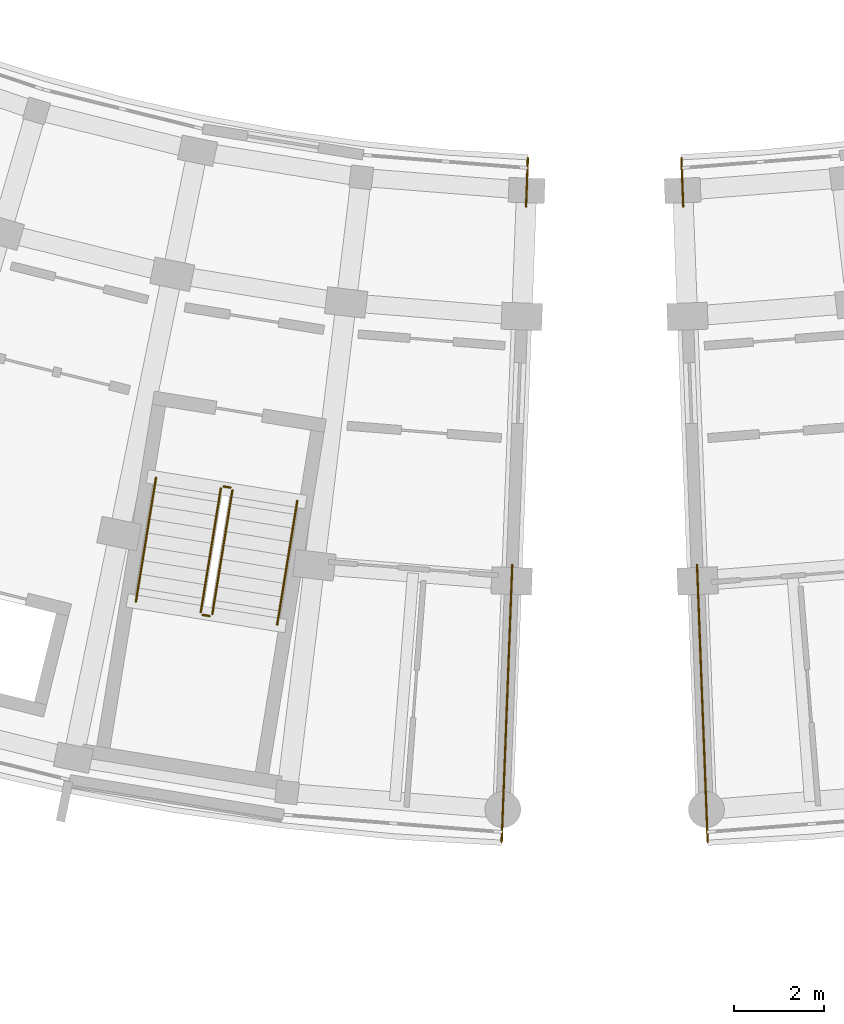
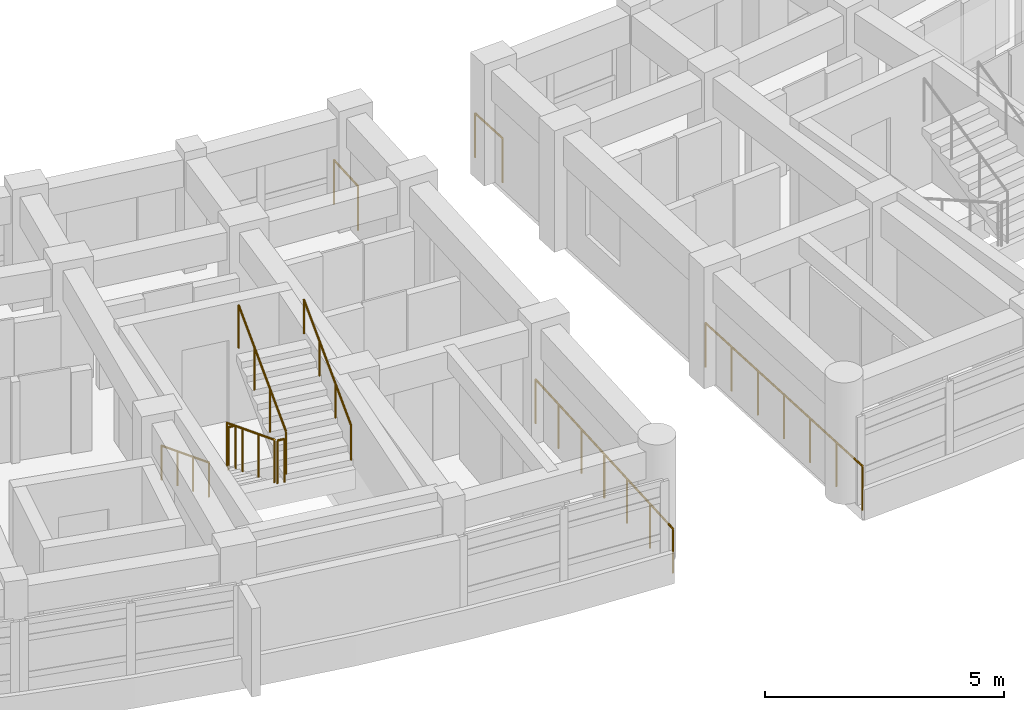
# One storey, part 58 of 70: 10 railings.
"""IFC4 building model written with IfcOpenShell, lengths in metres."""

from ifc_helpers import new_model, si_unit, direction, frame, origin, origin_2d, place, context, subcontext, project, spatial, circle, extrude, material, type_object, element, save


model = new_model("IFC4")

# Units and contexts
model_context = context("Model", 3, precision=1e-05, world=origin(), true_north=direction((0.0, 1.0)))
body_context = subcontext(model_context, "Body", "Model", "MODEL_VIEW")
ifc_project = project(units=[si_unit("LENGTHUNIT", "METRE"), si_unit("AREAUNIT", "SQUARE_METRE"), si_unit("VOLUMEUNIT", "CUBIC_METRE"), si_unit("PLANEANGLEUNIT", "RADIAN"), si_unit("MASSUNIT", "GRAM", prefix="KILO")], contexts=[model_context])

# Site, building, storey
site_placement = place(None, origin())
site = spatial("IfcSite", under=ifc_project, at=site_placement, CompositionType="ELEMENT")
building_placement = place(site_placement, origin())
building = spatial("IfcBuilding", under=site, at=building_placement, Name="Zimvara Arc Housing Community", CompositionType="ELEMENT")
storey_placement = place(building_placement, frame((0.0, 0.0, 8.10009765625)))
storey = spatial("IfcBuildingStorey", under=building, at=storey_placement, Name="L02", CompositionType="ELEMENT", Elevation=8.10009765625)

# Railings
ifc_material_1 = material(Name="Anodised Aluminium AW-6063", Category="aluminium")
railing_type_1 = type_object("IfcRailingType", Name="RLG-BAL-1120", PredefinedType="BALUSTRADE", material=ifc_material_1)
railing_1_placement = place(storey_placement, frame((117.455810546875, 58.15771484375, 0.15478515625)))
element("IfcRailing", 1, at=railing_1_placement, inside=storey, type_object=railing_type_1, Name="L02 ST-C2 stair guard 1", PredefinedType="BALUSTRADE", context=body_context, shape_type="SweptSolid", body=[
    extrude(circle(Radius=0.02392578125, at=origin_2d()), frame((0.0, 0.0, 1.09619140625), z_axis=(-0.14330919097, -0.882866015369, 0.447224859204), x_axis=(0.987080428045, -0.160225555297, 0.0)), (0.0, 0.0, 1.0), 3.119384765625),
    extrude(circle(Radius=0.02099609375, at=origin_2d()), origin(), (0.0, 0.0, 1.0), 1.072021484375),
    extrude(circle(Radius=0.02099609375, at=origin_2d()), frame((-0.14892578125, -0.91796875, 0.465087890625)), (0.0, 0.0, 1.0), 1.072021484375),
    extrude(circle(Radius=0.02099609375, at=origin_2d()), frame((-0.298095703125, -1.8359375, 0.929931640625)), (0.0, 0.0, 1.0), 1.072021484375),
    extrude(circle(Radius=0.02099609375, at=origin_2d()), frame((-0.447021484375, -2.75390625, 1.39501953125)), (0.0, 0.0, 1.0), 1.072021484375),
])
railing_2_placement = place(storey_placement, frame((117.050048828125, 55.346435546875, 1.5498046875)))
element("IfcRailing", 2, at=railing_2_placement, inside=storey, type_object=railing_type_1, Name="L02 ST-C2 stair guard 2", PredefinedType="BALUSTRADE", context=body_context, shape_type="SweptSolid", body=[
    extrude(circle(Radius=0.02392578125, at=origin_2d()), frame((0.0, 0.0, 1.09619140625), z_axis=(0.987085924886, -0.160191687964, 0.0), x_axis=(0.160191687964, 0.987085924886, 0.0)), (0.0, 0.0, 1.0), 0.159912109375),
    extrude(circle(Radius=0.02099609375, at=origin_2d()), origin(), (0.0, 0.0, 1.0), 1.072021484375),
    extrude(circle(Radius=0.02099609375, at=origin_2d()), frame((0.157958984375, -0.025634765625, 0.0)), (0.0, 0.0, 1.0), 1.072021484375),
])
railing_3_placement = place(storey_placement, frame((117.265380859375, 55.3623046875, 1.704833984375)))
element("IfcRailing", 3, at=railing_3_placement, inside=storey, type_object=railing_type_1, Name="L02 ST-C2 stair guard 3", PredefinedType="BALUSTRADE", context=body_context, shape_type="SweptSolid", body=[
    extrude(circle(Radius=0.02392578125, at=origin_2d()), frame((0.0, 0.0, 1.09619140625), z_axis=(0.14330919097, 0.882866015369, 0.447224859204), x_axis=(-0.987080428045, 0.160225555297, 0.0)), (0.0, 0.0, 1.0), 3.119384765625),
    extrude(circle(Radius=0.02099609375, at=origin_2d()), origin(), (0.0, 0.0, 1.0), 1.072021484375),
    extrude(circle(Radius=0.02099609375, at=origin_2d()), frame((0.14892578125, 0.91796875, 0.465087890625)), (0.0, 0.0, 1.0), 1.072021484375),
    extrude(circle(Radius=0.02099609375, at=origin_2d()), frame((0.298095703125, 1.8359375, 0.929931640625)), (0.0, 0.0, 1.0), 1.072021484375),
    extrude(circle(Radius=0.02099609375, at=origin_2d()), frame((0.447021484375, 2.75390625, 1.39501953125)), (0.0, 0.0, 1.0), 1.072021484375),
])
railing_4_placement = place(storey_placement, frame((117.51318359375, 58.19921875, 0.0)))
element("IfcRailing", 4, at=railing_4_placement, inside=storey, type_object=railing_type_1, Name="L02 ST-C2 stair guard 4", PredefinedType="BALUSTRADE", context=body_context, shape_type="SweptSolid", body=[
    extrude(circle(Radius=0.02392578125, at=origin_2d()), frame((0.0, 0.0, 1.09619140625), z_axis=(0.987085924886, -0.160191687964, 0.0), x_axis=(0.160191687964, 0.987085924886, 0.0)), (0.0, 0.0, 1.0), 0.159912109375),
    extrude(circle(Radius=0.02099609375, at=origin_2d()), origin(), (0.0, 0.0, 1.0), 1.072021484375),
    extrude(circle(Radius=0.02099609375, at=origin_2d()), frame((0.157958984375, -0.025634765625, 0.0)), (0.0, 0.0, 1.0), 1.072021484375),
])
ifc_material_2 = material(Name="Anodised Aluminium AW-6063", Category="aluminium")
railing_type_2 = type_object("IfcRailingType", Name="RLG-BAL-1150", PredefinedType="BALUSTRADE", material=ifc_material_2)
railing_5_placement = place(storey_placement, frame((124.275634765625, 65.49267578125, 0.0)))
element("IfcRailing", 5, at=railing_5_placement, inside=storey, type_object=railing_type_2, Name="rlg:blkC:L02:gable_in:gN", PredefinedType="BALUSTRADE", context=body_context, shape_type="SweptSolid", body=[
    extrude(circle(Radius=0.02392578125, at=origin_2d()), frame((0.0, 0.0, 1.1259765625), z_axis=(-0.038433122101, -0.999261174631, 0.0), x_axis=(0.999261174631, -0.038433122101, 0.0)), (0.0, 0.0, 1.0), 1.079833984375),
    extrude(circle(Radius=0.02099609375, at=origin_2d()), origin(), (0.0, 0.0, 1.0), 1.101806640625),
    extrude(circle(Radius=0.02099609375, at=origin_2d()), frame((-0.04150390625, -1.0791015625, 0.0)), (0.0, 0.0, 1.0), 1.101806640625),
])
railing_6_placement = place(storey_placement, frame((123.928466796875, 56.45947265625, 0.0)))
element("IfcRailing", 6, at=railing_6_placement, inside=storey, type_object=railing_type_2, Name="rlg:blkC:L02:gable_out:gN", PredefinedType="BALUSTRADE", context=body_context, shape_type="SweptSolid", body=[
    extrude(circle(Radius=0.02392578125, at=origin_2d()), frame((0.0, 0.0, 1.1259765625), z_axis=(-0.038364627964, -0.99926380667, 0.0), x_axis=(0.99926380667, -0.038364627964, 0.0)), (0.0, 0.0, 1.0), 6.16015625),
    extrude(circle(Radius=0.02099609375, at=origin_2d()), origin(), (0.0, 0.0, 1.0), 1.101806640625),
    extrude(circle(Radius=0.02099609375, at=origin_2d()), frame((-0.039306640625, -1.02587890625, 0.0)), (0.0, 0.0, 1.0), 1.101806640625),
    extrude(circle(Radius=0.02099609375, at=origin_2d()), frame((-0.078857421875, -2.0517578125, 0.0)), (0.0, 0.0, 1.0), 1.101806640625),
    extrude(circle(Radius=0.02099609375, at=origin_2d()), frame((-0.1181640625, -3.07763671875, 0.0)), (0.0, 0.0, 1.0), 1.101806640625),
    extrude(circle(Radius=0.02099609375, at=origin_2d()), frame((-0.157470703125, -4.103759765625, 0.0)), (0.0, 0.0, 1.0), 1.101806640625),
    extrude(circle(Radius=0.02099609375, at=origin_2d()), frame((-0.197021484375, -5.129638671875, 0.0)), (0.0, 0.0, 1.0), 1.101806640625),
    extrude(circle(Radius=0.02099609375, at=origin_2d()), frame((-0.236328125, -6.155517578125, 0.0)), (0.0, 0.0, 1.0), 1.101806640625),
])
railing_7_placement = place(storey_placement, frame((127.684326171875, 65.49267578125, 0.0)))
element("IfcRailing", 7, at=railing_7_placement, inside=storey, type_object=railing_type_2, Name="rlg:blkD:L02:gable_in:g0", PredefinedType="BALUSTRADE", context=body_context, shape_type="SweptSolid", body=[
    extrude(circle(Radius=0.02392578125, at=origin_2d()), frame((0.0, 0.0, 1.1259765625), z_axis=(0.038433122101, -0.999261174631, 0.0), x_axis=(0.999261174631, 0.038433122101, 0.0)), (0.0, 0.0, 1.0), 1.079833984375),
    extrude(circle(Radius=0.02099609375, at=origin_2d()), origin(), (0.0, 0.0, 1.0), 1.101806640625),
    extrude(circle(Radius=0.02099609375, at=origin_2d()), frame((0.04150390625, -1.0791015625, 0.0)), (0.0, 0.0, 1.0), 1.101806640625),
])
railing_8_placement = place(storey_placement, frame((128.031494140625, 56.45947265625, 0.0)))
element("IfcRailing", 8, at=railing_8_placement, inside=storey, type_object=railing_type_2, Name="rlg:blkD:L02:gable_out:g0", PredefinedType="BALUSTRADE", context=body_context, shape_type="SweptSolid", body=[
    extrude(circle(Radius=0.02392578125, at=origin_2d()), frame((0.0, 0.0, 1.1259765625), z_axis=(0.038364627964, -0.99926380667, 0.0), x_axis=(0.99926380667, 0.038364627964, 0.0)), (0.0, 0.0, 1.0), 6.16015625),
    extrude(circle(Radius=0.02099609375, at=origin_2d()), origin(), (0.0, 0.0, 1.0), 1.101806640625),
    extrude(circle(Radius=0.02099609375, at=origin_2d()), frame((0.039306640625, -1.02587890625, 0.0)), (0.0, 0.0, 1.0), 1.101806640625),
    extrude(circle(Radius=0.02099609375, at=origin_2d()), frame((0.078857421875, -2.0517578125, 0.0)), (0.0, 0.0, 1.0), 1.101806640625),
    extrude(circle(Radius=0.02099609375, at=origin_2d()), frame((0.1181640625, -3.07763671875, 0.0)), (0.0, 0.0, 1.0), 1.101806640625),
    extrude(circle(Radius=0.02099609375, at=origin_2d()), frame((0.157470703125, -4.103759765625, 0.0)), (0.0, 0.0, 1.0), 1.101806640625),
    extrude(circle(Radius=0.02099609375, at=origin_2d()), frame((0.197021484375, -5.129638671875, 0.0)), (0.0, 0.0, 1.0), 1.101806640625),
    extrude(circle(Radius=0.02099609375, at=origin_2d()), frame((0.236328125, -6.155517578125, 0.0)), (0.0, 0.0, 1.0), 1.101806640625),
])
ifc_material_3 = material(Name="Anodised Aluminium AW-6063", Category="aluminium")
railing_type_3 = type_object("IfcRailingType", Name="RLG-HND-900", PredefinedType="HANDRAIL", material=ifc_material_3)
railing_9_placement = place(storey_placement, frame((116.0146484375, 58.391845703125, 0.15478515625)))
element("IfcRailing", 9, at=railing_9_placement, inside=storey, type_object=railing_type_3, Name="L02 ST-C2 stair handrail 1", PredefinedType="HANDRAIL", context=body_context, shape_type="SweptSolid", body=[
    extrude(circle(Radius=0.02392578125, at=origin_2d()), frame((0.0, 0.0, 0.8759765625), z_axis=(-0.143299288836, -0.882883275458, 0.447193957625), x_axis=(0.987082674257, -0.160211716742, 0.0)), (0.0, 0.0, 1.0), 3.119384765625),
    extrude(circle(Radius=0.02099609375, at=origin_2d()), origin(), (0.0, 0.0, 1.0), 0.851806640625),
    extrude(circle(Radius=0.02099609375, at=origin_2d()), frame((-0.14892578125, -0.91796875, 0.465087890625)), (0.0, 0.0, 1.0), 0.851806640625),
    extrude(circle(Radius=0.02099609375, at=origin_2d()), frame((-0.298095703125, -1.836181640625, 0.929931640625)), (0.0, 0.0, 1.0), 0.851806640625),
    extrude(circle(Radius=0.02099609375, at=origin_2d()), frame((-0.447021484375, -2.754150390625, 1.39501953125)), (0.0, 0.0, 1.0), 0.851806640625),
])
railing_10_placement = place(storey_placement, frame((118.70654296875, 55.128173828125, 1.704833984375)))
element("IfcRailing", 10, at=railing_10_placement, inside=storey, type_object=railing_type_3, Name="L02 ST-C2 stair handrail 2", PredefinedType="HANDRAIL", context=body_context, shape_type="SweptSolid", body=[
    extrude(circle(Radius=0.02392578125, at=origin_2d()), frame((0.0, 0.0, 0.8759765625), z_axis=(0.143299288836, 0.882883275458, 0.447193957625), x_axis=(-0.987082674257, 0.160211716742, 0.0)), (0.0, 0.0, 1.0), 3.119384765625),
    extrude(circle(Radius=0.02099609375, at=origin_2d()), origin(), (0.0, 0.0, 1.0), 0.851806640625),
    extrude(circle(Radius=0.02099609375, at=origin_2d()), frame((0.14892578125, 0.91796875, 0.465087890625)), (0.0, 0.0, 1.0), 0.851806640625),
    extrude(circle(Radius=0.02099609375, at=origin_2d()), frame((0.298095703125, 1.836181640625, 0.929931640625)), (0.0, 0.0, 1.0), 0.851806640625),
    extrude(circle(Radius=0.02099609375, at=origin_2d()), frame((0.447021484375, 2.754150390625, 1.39501953125)), (0.0, 0.0, 1.0), 0.851806640625),
])

save(model, "model.ifc")
